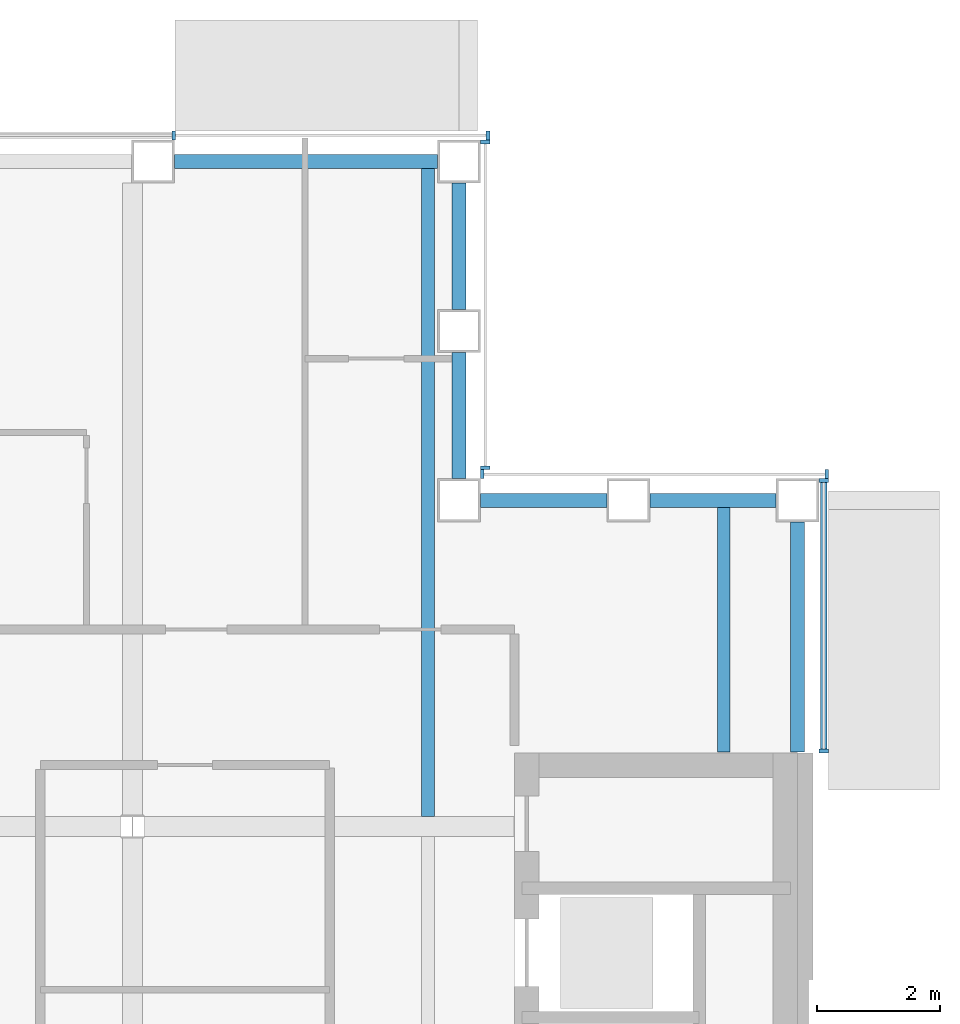
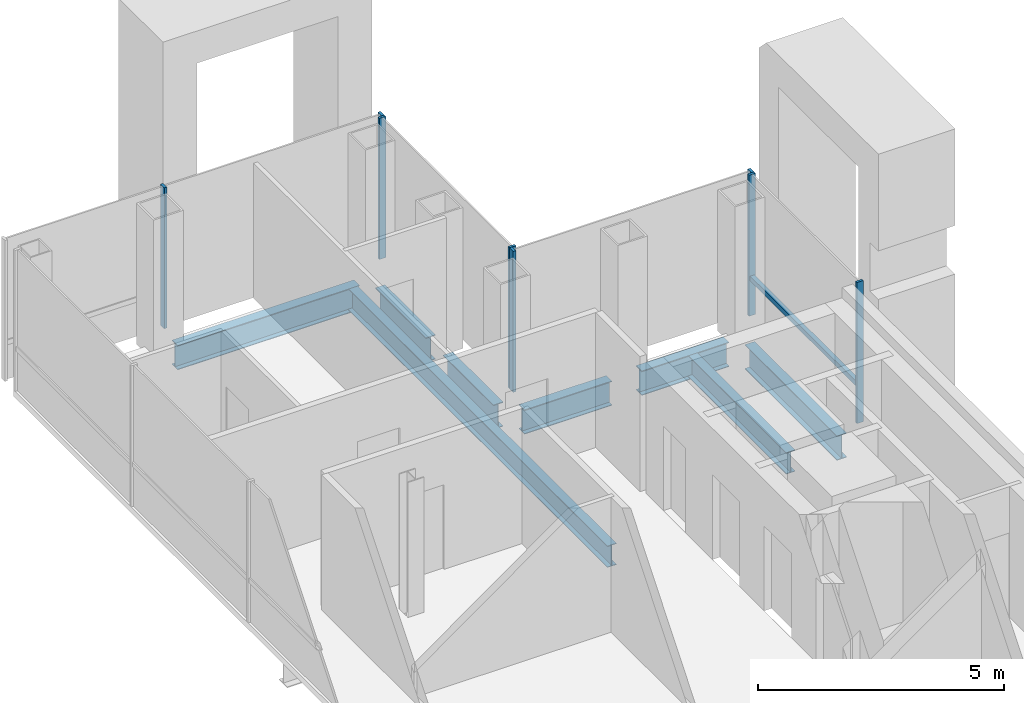
# One storey, part 8 of 17: 9 members, 8 beams, 4 elements without a shape of their own.
"""IFC4 building model written with IfcOpenShell, lengths in metres."""

import ifcopenshell
import ifcopenshell.guid

model = None  # the IFC model being written
_history = None  # IfcOwnerHistory: only IFC2X3 demands one
_inside = {}  # id of a spatial element -> (the spatial element, [elements in it])
_under = {}  # id of a project, library or spatial element -> (it, [spatial elements below it])
_declared = {}  # id of a project -> (the project, [libraries it declares])
_typed = {}  # id of a type object -> (the type object, [elements of that type])
_made_of = {}  # id of a material, layer set ... -> (it, [elements and type objects made of it])


def new_model(schema):
    """Start an empty IFC model of exactly this schema.

    Asked for "IFC4X3", IfcOpenShell would pick the latest addendum, in which some entities
    have other attributes; the version numbers below select the first issue.
    IFC2X3 requires an IfcOwnerHistory on every rooted entity: one is made here for all.
    """
    global model, _history
    if schema == "IFC4X3":
        model = ifcopenshell.file(schema_version=(4, 3, 0, 0))
    else:
        model = ifcopenshell.file(schema=schema)
    _inside.clear()
    _under.clear()
    _declared.clear()
    _typed.clear()
    _made_of.clear()
    _history = None
    if model.schema == "IFC2X3":
        org = make("IfcOrganization", Name="unknown")
        user = make(
            "IfcPersonAndOrganization",
            ThePerson=make("IfcPerson", FamilyName="unknown"),
            TheOrganization=org,
        )
        app = make(
            "IfcApplication",
            ApplicationDeveloper=org,
            Version="unknown",
            ApplicationFullName="unknown",
            ApplicationIdentifier="unknown",
        )
        _history = make(
            "IfcOwnerHistory",
            OwningUser=user,
            OwningApplication=app,
            ChangeAction="ADDED",
            CreationDate=0,
        )
    return model


def make(cls, **values):
    """One entity of the class cls with the attributes given. An attribute that is None is left unset."""
    return model.create_entity(
        cls, **{name: value for name, value in values.items() if value is not None}
    )


def rooted(cls, **values):
    """An entity with a GlobalId (a new one), such as an element, a storey or a relation."""
    return make(cls, GlobalId=ifcopenshell.guid.new(), OwnerHistory=_history, **values)


def si_unit(unit_type, name, prefix=None):
    """IfcSIUnit, for example si_unit("LENGTHUNIT", "METRE", prefix="MILLI")."""
    return make("IfcSIUnit", UnitType=unit_type, Prefix=prefix, Name=name)


def assignment(units):
    """IfcUnitAssignment: the units of a project."""
    return None if units is None else make("IfcUnitAssignment", Units=units)


def point(xyz):
    """IfcCartesianPoint."""
    return None if xyz is None else make("IfcCartesianPoint", Coordinates=xyz)


def direction(xyz):
    """IfcDirection."""
    return None if xyz is None else make("IfcDirection", DirectionRatios=xyz)


def frame(location, z_axis=None, x_axis=None):
    """IfcAxis2Placement3D, a coordinate frame: its origin and axes. An axis left out is left unset."""
    return make(
        "IfcAxis2Placement3D",
        Location=point(location),
        Axis=direction(z_axis),
        RefDirection=direction(x_axis),
    )


def frame_2d(location, x_axis=None):
    """IfcAxis2Placement2D, a coordinate frame in the plane: its origin and x axis."""
    return make(
        "IfcAxis2Placement2D", Location=point(location), RefDirection=direction(x_axis)
    )


def origin():
    """The frame at (0, 0, 0) with its axes left unset."""
    return frame((0.0, 0.0, 0.0))


def origin_2d():
    """The frame at (0, 0) in the plane with its x axis left unset."""
    return frame_2d((0.0, 0.0))


def place(relative_to, where):
    """IfcLocalPlacement: puts the frame where relative to a parent placement (None: the world)."""
    return make(
        "IfcLocalPlacement", PlacementRelTo=relative_to, RelativePlacement=where
    )


def context(
    kind, dimensions, precision=None, world=None, true_north=None, identifier=None
):
    """IfcGeometricRepresentationContext, for example the 3D "Model" context."""
    return make(
        "IfcGeometricRepresentationContext",
        ContextIdentifier=identifier,
        ContextType=kind,
        CoordinateSpaceDimension=dimensions,
        Precision=precision,
        WorldCoordinateSystem=world,
        TrueNorth=true_north,
    )


def subcontext(parent, identifier, kind, view, scale=None):
    """IfcGeometricRepresentationSubContext, for example "Body" below "Model"."""
    return make(
        "IfcGeometricRepresentationSubContext",
        ContextIdentifier=identifier,
        ContextType=kind,
        ParentContext=parent,
        TargetScale=scale,
        TargetView=view,
    )


def project(units=None, contexts=None):
    """IfcProject with its units and contexts."""
    return rooted(
        "IfcProject",
        Name="project",
        RepresentationContexts=contexts,
        UnitsInContext=assignment(units),
    )


def spatial(cls, under=None, at=None, **own):
    """A site, building, storey or space (cls), placed at a placement, below another one or the project."""
    s = rooted(cls, ObjectPlacement=at, **own)
    if under is not None:
        _under.setdefault(under.id(), (under, []))[1].append(s)
    return s


def profile(cls, at=None, kind="AREA", **sizes):
    """A parametric profile (cls). Its sizes go by their IFC names, for example OverallWidth=200.0."""
    return make(cls, ProfileType=kind, Position=at, **sizes)


def rectangle(**sizes):
    """IfcRectangleProfileDef."""
    return profile("IfcRectangleProfileDef", **sizes)


def i_section(**sizes):
    """IfcIShapeProfileDef."""
    return profile("IfcIShapeProfileDef", **sizes)


def extrude(swept, where, along, depth):
    """IfcExtrudedAreaSolid: the profile swept, set in the frame where, extruded along a direction by depth."""
    return make(
        "IfcExtrudedAreaSolid",
        SweptArea=swept,
        Position=where,
        ExtrudedDirection=direction(along),
        Depth=depth,
    )


def shape(context_of_items, identifier, shape_type, items):
    """IfcShapeRepresentation: the items that make up one representation, for example the "Body"."""
    return make(
        "IfcShapeRepresentation",
        ContextOfItems=context_of_items,
        RepresentationIdentifier=identifier,
        RepresentationType=shape_type,
        Items=items,
    )


def material(Name=None, Category=None):
    """IfcMaterial."""
    return make("IfcMaterial", Name=Name, Category=Category)


def material_profile(
    of_material, cross_section, Name=None, Category=None, Priority=None
):
    """IfcMaterialProfile: a cross section and its material."""
    return make(
        "IfcMaterialProfile",
        Name=Name,
        Material=of_material,
        Profile=cross_section,
        Priority=Priority,
        Category=Category,
    )


def profile_set(profiles, Name=None, composite=None):
    """IfcMaterialProfileSet."""
    return make(
        "IfcMaterialProfileSet",
        Name=Name,
        MaterialProfiles=profiles,
        CompositeProfile=composite,
    )


def made_of(thing, what):
    """Note that an element or type object is made of a material, layer set ...; save() writes the relation."""
    if what is not None:
        _made_of.setdefault(what.id(), (what, []))[1].append(thing)
    return thing


def type_object(cls, material=None, **own):
    """A type object (cls), such as IfcWallType, which elements share."""
    return made_of(rooted(cls, **own), material)


def element(
    cls,
    number,
    at=None,
    inside=None,
    cuts=None,
    type_object=None,
    material=None,
    context=None,
    identifier="Body",
    shape_type=None,
    held_by="IfcProductDefinitionShape",
    body=None,
    shapes=None,
    **own,
):
    """One element of the class cls, such as IfcWall. Its Tag is "e" and its number.

    at: its placement. inside: the storey or other place that contains it. cuts: it is an
    opening in that element (IfcRelVoidsElement). A single representation is given by context,
    identifier, shape_type and body (its items); several are given by shapes. held_by: the class
    of the entity that holds the representations. save() writes the other relations.
    """
    e = rooted(cls, Tag="e%d" % number, ObjectPlacement=at, **own)
    if body is not None:
        shapes = [shape(context, identifier, shape_type, body)]
    if shapes is not None:
        e.Representation = make(held_by, Representations=shapes)
    if inside is not None:
        _inside.setdefault(inside.id(), (inside, []))[1].append(e)
    if cuts is not None:
        rooted(
            "IfcRelVoidsElement", RelatingBuildingElement=cuts, RelatedOpeningElement=e
        )
    if type_object is not None:
        _typed.setdefault(type_object.id(), (type_object, []))[1].append(e)
    return made_of(e, material)


def aggregate(whole, parts):
    """IfcRelAggregates: a whole, such as a stair, and the parts it consists of."""
    return rooted("IfcRelAggregates", RelatingObject=whole, RelatedObjects=parts)


def save(model, path):
    """Write the relations noted so far, then the file.

    IfcRelAggregates (storeys below a building ...), IfcRelContainedInSpatialStructure (elements
    in a storey), IfcRelDefinesByType, IfcRelAssociatesMaterial and IfcRelDeclares: one each for
    every whole, place, type object, material and project.
    """
    for whole, parts in _under.values():
        aggregate(whole, parts)
    for where, things in _inside.values():
        rooted(
            "IfcRelContainedInSpatialStructure",
            RelatedElements=things,
            RelatingStructure=where,
        )
    for kind, things in _typed.values():
        rooted("IfcRelDefinesByType", RelatedObjects=things, RelatingType=kind)
    for what, things in _made_of.values():
        rooted("IfcRelAssociatesMaterial", RelatedObjects=things, RelatingMaterial=what)
    for by, libraries in _declared.values():
        rooted("IfcRelDeclares", RelatingContext=by, RelatedDefinitions=libraries)
    model.write(path)


model = new_model("IFC4")

# Units and contexts
model_context = context("Model", 3, precision=1e-05, world=origin(), true_north=direction((0.0, 1.0)))
body_context = subcontext(model_context, "Body", "Model", "MODEL_VIEW")
ifc_project = project(units=[si_unit("LENGTHUNIT", "METRE"), si_unit("AREAUNIT", "SQUARE_METRE"), si_unit("VOLUMEUNIT", "CUBIC_METRE"), si_unit("PLANEANGLEUNIT", "RADIAN"), si_unit("MASSUNIT", "GRAM", prefix="KILO")], contexts=[model_context])

# Site, building, storey
site_placement = place(None, origin())
site = spatial("IfcSite", under=ifc_project, at=site_placement, CompositionType="ELEMENT")
building_placement = place(site_placement, origin())
building = spatial("IfcBuilding", under=site, at=building_placement, Name="Cobrizo Arcos Hotel Tower", CompositionType="ELEMENT")
storey_placement = place(building_placement, frame((0.0, 0.0, 226.0)))
storey = spatial("IfcBuildingStorey", under=building, at=storey_placement, Name="L59", CompositionType="ELEMENT", Elevation=226.0)

# Curtain wall, members
ifc_material_1 = material(Name="Aluminium 6063-T6 anodised bronze", Category="aluminium")
curtain_wall_type = type_object("IfcCurtainWallType", Name="CW-A guest facade", PredefinedType="NOTDEFINED", material=ifc_material_1)
curtain_wall_1_placement = place(storey_placement, origin())
curtain_wall_1 = element("IfcCurtainWall", 1, at=curtain_wall_1_placement, inside=storey, type_object=curtain_wall_type, Name="CW-A L59 E face", PredefinedType="NOTDEFINED")
ifc_material_profile_1 = material_profile(ifc_material_1, rectangle(XDim=0.14990234375, YDim=0.06005859375, at=origin_2d()), Name="CW-A mullion 150x60")
ifc_profile_set_1 = profile_set([ifc_material_profile_1], Name="Aluminium 6063-T6 anodised bronze")
member_type_1 = type_object("IfcMemberType", Name="CW-A mullion 150x60", PredefinedType="MULLION", material=ifc_profile_set_1)
member_1_placement = place(storey_placement, frame((20.824951171875, 10.830078125, 0.0), z_axis=(0.0, 0.0, 1.0), x_axis=(1.0, 0.0, 0.0)))
member_1 = element("IfcMember", 2, at=member_1_placement, type_object=member_type_1, Name="CW-A mullion 1", PredefinedType="MULLION", context=body_context, shape_type="SweptSolid", body=[
    extrude(rectangle(XDim=0.14990234375, YDim=0.06005859375, at=origin_2d()), origin(), (0.0, 0.0, 1.0), 3.5),
])
member_2_placement = place(storey_placement, frame((20.824951171875, 15.219970703125, 0.0), z_axis=(0.0, 0.0, 1.0), x_axis=(1.0, 0.0, 0.0)))
member_2 = element("IfcMember", 3, at=member_2_placement, type_object=member_type_1, Name="CW-A mullion 2", PredefinedType="MULLION", context=body_context, shape_type="SweptSolid", body=[
    extrude(rectangle(XDim=0.14990234375, YDim=0.06005859375, at=origin_2d()), origin(), (0.0, 0.0, 1.0), 3.5),
])

curtain_wall_2_placement = place(storey_placement, origin())
curtain_wall_2 = element("IfcCurtainWall", 4, at=curtain_wall_2_placement, inside=storey, type_object=curtain_wall_type, Name="CW-A L59 N face", PredefinedType="NOTDEFINED")
member_3_placement = place(storey_placement, frame((20.8701171875, 15.324951171875, 0.0), z_axis=(0.0, 0.0, 1.0), x_axis=(0.0, 1.0, 0.0)))
member_3 = element("IfcMember", 5, at=member_3_placement, type_object=member_type_1, Name="CW-A mullion 1", PredefinedType="MULLION", context=body_context, shape_type="SweptSolid", body=[
    extrude(rectangle(XDim=0.14990234375, YDim=0.06005859375, at=origin_2d()), origin(), (0.0, 0.0, 1.0), 3.5),
])
member_4_placement = place(storey_placement, frame((15.280029296875, 15.324951171875, 0.0), z_axis=(0.0, 0.0, 1.0), x_axis=(0.0, 1.0, 0.0)))
member_4 = element("IfcMember", 6, at=member_4_placement, type_object=member_type_1, Name="CW-A mullion 2", PredefinedType="MULLION", context=body_context, shape_type="SweptSolid", body=[
    extrude(rectangle(XDim=0.14990234375, YDim=0.06005859375, at=origin_2d()), origin(), (0.0, 0.0, 1.0), 3.5),
])
aggregate(curtain_wall_2, [member_3, member_4])

curtain_wall_3_placement = place(storey_placement, origin())
curtain_wall_3 = element("IfcCurtainWall", 7, at=curtain_wall_3_placement, inside=storey, type_object=curtain_wall_type, Name="CW-A L59 E face", PredefinedType="NOTDEFINED")
member_5_placement = place(storey_placement, frame((15.324951171875, 15.429931640625, 0.0), z_axis=(0.0, 0.0, 1.0), x_axis=(1.0, 0.0, 0.0)))
member_5 = element("IfcMember", 8, at=member_5_placement, type_object=member_type_1, Name="CW-A mullion 1", PredefinedType="MULLION", context=body_context, shape_type="SweptSolid", body=[
    extrude(rectangle(XDim=0.14990234375, YDim=0.06005859375, at=origin_2d()), origin(), (0.0, 0.0, 1.0), 3.5),
])
member_6_placement = place(storey_placement, frame((15.324951171875, 20.719970703125, 0.0), z_axis=(0.0, 0.0, 1.0), x_axis=(1.0, 0.0, 0.0)))
member_6 = element("IfcMember", 9, at=member_6_placement, type_object=member_type_1, Name="CW-A mullion 2", PredefinedType="MULLION", context=body_context, shape_type="SweptSolid", body=[
    extrude(rectangle(XDim=0.14990234375, YDim=0.06005859375, at=origin_2d()), origin(), (0.0, 0.0, 1.0), 3.5),
])
aggregate(curtain_wall_3, [member_5, member_6])

curtain_wall_4_placement = place(storey_placement, origin())
curtain_wall_4 = element("IfcCurtainWall", 10, at=curtain_wall_4_placement, inside=storey, type_object=curtain_wall_type, Name="CW-A L59 N face", PredefinedType="NOTDEFINED")
member_7_placement = place(storey_placement, frame((15.3701171875, 20.824951171875, 0.0), z_axis=(0.0, 0.0, 1.0), x_axis=(0.0, 1.0, 0.0)))
member_7 = element("IfcMember", 11, at=member_7_placement, type_object=member_type_1, Name="CW-A mullion 1", PredefinedType="MULLION", context=body_context, shape_type="SweptSolid", body=[
    extrude(rectangle(XDim=0.14990234375, YDim=0.06005859375, at=origin_2d()), origin(), (0.0, 0.0, 1.0), 3.5),
])
member_8_placement = place(storey_placement, frame((10.2666015625, 20.824951171875, 0.0), z_axis=(0.0, 0.0, 1.0), x_axis=(0.0, 1.0, 0.0)))
member_8 = element("IfcMember", 12, at=member_8_placement, type_object=member_type_1, Name="CW-A mullion 2", PredefinedType="MULLION", context=body_context, shape_type="SweptSolid", body=[
    extrude(rectangle(XDim=0.14990234375, YDim=0.06005859375, at=origin_2d()), origin(), (0.0, 0.0, 1.0), 3.5),
])
aggregate(curtain_wall_4, [member_7, member_8])

# Member
ifc_material_profile_2 = material_profile(ifc_material_1, rectangle(XDim=0.10009765625, YDim=0.1201171875, at=origin_2d()), Name="CW-A transom 120x100")
ifc_profile_set_2 = profile_set([ifc_material_profile_2], Name="Aluminium 6063-T6 anodised bronze")
member_type_2 = type_object("IfcMemberType", Name="CW-A transom 120x100", PredefinedType="USERDEFINED", material=ifc_profile_set_2)
member_9_placement = place(storey_placement, frame((20.824951171875, 10.860107421875, 0.929931640625), z_axis=(0.0, 1.0, 0.0), x_axis=(-1.0, 0.0, 0.0)))
member_9 = element("IfcMember", 13, at=member_9_placement, type_object=member_type_2, Name="CW-A transom 1935", ObjectType="TRANSOM", PredefinedType="USERDEFINED", context=body_context, shape_type="SweptSolid", body=[
    extrude(rectangle(XDim=0.10009765625, YDim=0.1201171875, at=origin_2d()), origin(), (0.0, 0.0, 1.0), 4.329833984375),
])

aggregate(curtain_wall_1, [member_1, member_2, member_9])

# Beams
ifc_material_2 = material(Name="Steel ASTM A992 Grade 50", Category="steel")
ifc_material_profile_3 = material_profile(ifc_material_2, i_section(OverallWidth=0.209228515625, OverallDepth=0.533447265625, WebThickness=0.01025390625, FlangeThickness=0.015625, at=origin_2d()), Name="W21X62")
ifc_profile_set_3 = profile_set([ifc_material_profile_3], Name="Steel ASTM A992 Grade 50")
beam_type_1 = type_object("IfcBeamType", Name="W21X62 joist", PredefinedType="JOIST", material=ifc_profile_set_3)
beam_1_placement = place(storey_placement, frame((14.39990234375, 9.763916015625, -0.416748046875), z_axis=(0.0, 1.0, 0.0), x_axis=(-1.0, 0.0, 0.0)))
element("IfcBeam", 14, at=beam_1_placement, inside=storey, type_object=beam_type_1, Name="Floor joist J1, L59, no. 010", PredefinedType="JOIST", context=body_context, shape_type="SweptSolid", body=[
    extrude(i_section(OverallWidth=0.209228515625, OverallDepth=0.533447265625, WebThickness=0.01025390625, FlangeThickness=0.015625, at=origin_2d()), origin(), (0.0, 0.0, 1.0), 10.546142578125),
])
beam_2_placement = place(storey_placement, frame((19.199951171875, 10.81005859375, -0.416748046875), z_axis=(0.0, 1.0, 0.0), x_axis=(-1.0, 0.0, 0.0)))
element("IfcBeam", 15, at=beam_2_placement, inside=storey, type_object=beam_type_1, Name="Floor joist J1, L59, no. 012", PredefinedType="JOIST", context=body_context, shape_type="SweptSolid", body=[
    extrude(i_section(OverallWidth=0.209228515625, OverallDepth=0.533447265625, WebThickness=0.01025390625, FlangeThickness=0.015625, at=origin_2d()), origin(), (0.0, 0.0, 1.0), 4.0),
])
ifc_material_profile_4 = material_profile(ifc_material_2, i_section(OverallWidth=0.228271484375, OverallDepth=0.607177734375, WebThickness=0.01123046875, FlangeThickness=0.017333984375, at=origin_2d()), Name="W24X76")
ifc_profile_set_4 = profile_set([ifc_material_profile_4], Name="Steel ASTM A992 Grade 50")
beam_type_2 = type_object("IfcBeamType", Name="W24X76 spandrel", PredefinedType="SPANDREL", material=ifc_profile_set_4)
for number, where, z_axis, x_axis, name in (
    (16, (15.25, 14.89990234375, -0.45361328125), (1.0, 0.0, 0.0), (0.0, 1.0, 0.0), "Spandrel beam W24X76, L59, no. 001"),
    (17, (18.0, 14.89990234375, -0.45361328125), (1.0, 0.0, 0.0), (0.0, 1.0, 0.0), "Spandrel beam W24X76, L59, no. 002"),
):
    element("IfcBeam", number, at=place(storey_placement, frame(where, z_axis=z_axis, x_axis=x_axis)), inside=storey, type_object=beam_type_2, Name=name, PredefinedType="SPANDREL", context=body_context, shape_type="SweptSolid", body=[
        extrude(i_section(OverallWidth=0.228271484375, OverallDepth=0.607177734375, WebThickness=0.01123046875, FlangeThickness=0.017333984375, at=origin_2d()), origin(), (0.0, 0.0, 1.0), 2.050048828125),
    ])
beam_3_placement = place(storey_placement, frame((20.39990234375, 14.550048828125, -0.45361328125), z_axis=(0.0, -1.0, 0.0), x_axis=(1.0, 0.0, 0.0)))
element("IfcBeam", 18, at=beam_3_placement, inside=storey, type_object=beam_type_2, Name="Spandrel beam W24X76, L59, no. 003", PredefinedType="SPANDREL", context=body_context, shape_type="SweptSolid", body=[
    extrude(i_section(OverallWidth=0.228271484375, OverallDepth=0.607177734375, WebThickness=0.01123046875, FlangeThickness=0.017333984375, at=origin_2d()), origin(), (0.0, 0.0, 1.0), 3.739990234375),
])
beam_4_placement = place(storey_placement, frame((10.282958984375, 20.39990234375, -0.45361328125), z_axis=(1.0, 0.0, 0.0), x_axis=(0.0, 1.0, 0.0)))
element("IfcBeam", 19, at=beam_4_placement, inside=storey, type_object=beam_type_2, Name="Spandrel beam W24X76, L59, no. 026", PredefinedType="SPANDREL", context=body_context, shape_type="SweptSolid", body=[
    extrude(i_section(OverallWidth=0.228271484375, OverallDepth=0.607177734375, WebThickness=0.01123046875, FlangeThickness=0.017333984375, at=origin_2d()), origin(), (0.0, 0.0, 1.0), 4.26708984375),
])
for number, where, z_axis, x_axis, name in (
    (20, (14.89990234375, 20.050048828125, -0.45361328125), (0.0, -1.0, 0.0), (1.0, 0.0, 0.0), "Spandrel beam W24X76, L59, no. 027"),
    (21, (14.89990234375, 17.300048828125, -0.45361328125), (0.0, -1.0, 0.0), (1.0, 0.0, 0.0), "Spandrel beam W24X76, L59, no. 028"),
):
    element("IfcBeam", number, at=place(storey_placement, frame(where, z_axis=z_axis, x_axis=x_axis)), inside=storey, type_object=beam_type_2, Name=name, PredefinedType="SPANDREL", context=body_context, shape_type="SweptSolid", body=[
        extrude(i_section(OverallWidth=0.228271484375, OverallDepth=0.607177734375, WebThickness=0.01123046875, FlangeThickness=0.017333984375, at=origin_2d()), origin(), (0.0, 0.0, 1.0), 2.050048828125),
    ])

save(model, "model.ifc")
